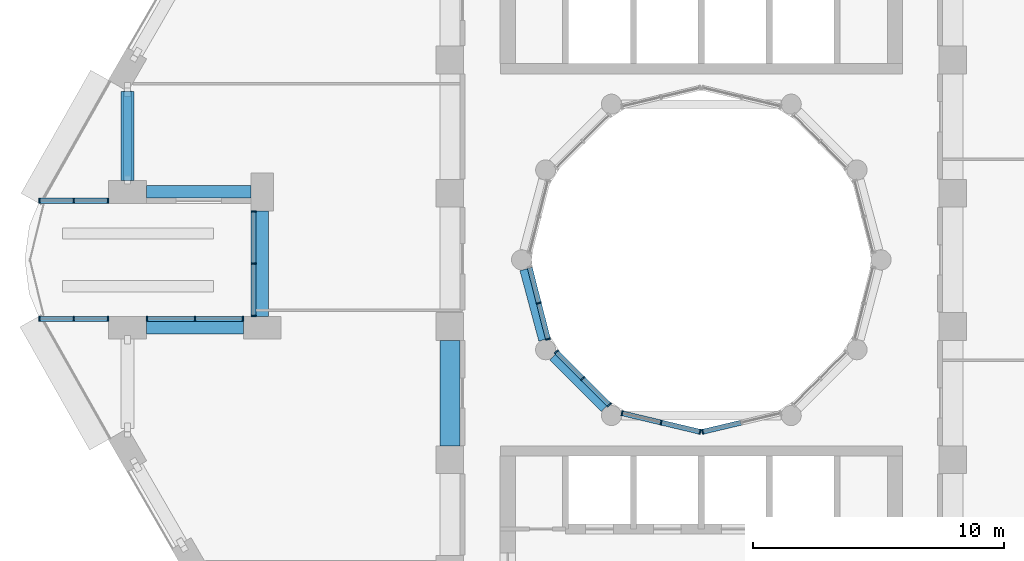
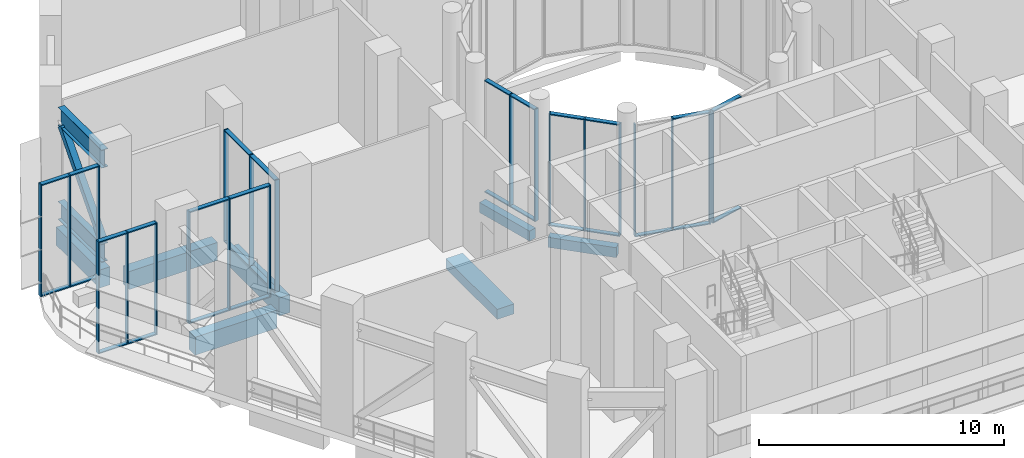
# One storey, part 2 of 20: 53 members, 7 beams, 8 elements without a shape of their own.
"""IFC4 building model written with IfcOpenShell, lengths in metres."""

import ifcopenshell
import ifcopenshell.guid

model = None  # the IFC model being written
_history = None  # IfcOwnerHistory: only IFC2X3 demands one
_inside = {}  # id of a spatial element -> (the spatial element, [elements in it])
_under = {}  # id of a project, library or spatial element -> (it, [spatial elements below it])
_declared = {}  # id of a project -> (the project, [libraries it declares])
_typed = {}  # id of a type object -> (the type object, [elements of that type])
_made_of = {}  # id of a material, layer set ... -> (it, [elements and type objects made of it])


def new_model(schema):
    """Start an empty IFC model of exactly this schema.

    Asked for "IFC4X3", IfcOpenShell would pick the latest addendum, in which some entities
    have other attributes; the version numbers below select the first issue.
    IFC2X3 requires an IfcOwnerHistory on every rooted entity: one is made here for all.
    """
    global model, _history
    if schema == "IFC4X3":
        model = ifcopenshell.file(schema_version=(4, 3, 0, 0))
    else:
        model = ifcopenshell.file(schema=schema)
    _inside.clear()
    _under.clear()
    _declared.clear()
    _typed.clear()
    _made_of.clear()
    _history = None
    if model.schema == "IFC2X3":
        org = make("IfcOrganization", Name="unknown")
        user = make(
            "IfcPersonAndOrganization",
            ThePerson=make("IfcPerson", FamilyName="unknown"),
            TheOrganization=org,
        )
        app = make(
            "IfcApplication",
            ApplicationDeveloper=org,
            Version="unknown",
            ApplicationFullName="unknown",
            ApplicationIdentifier="unknown",
        )
        _history = make(
            "IfcOwnerHistory",
            OwningUser=user,
            OwningApplication=app,
            ChangeAction="ADDED",
            CreationDate=0,
        )
    return model


def make(cls, **values):
    """One entity of the class cls with the attributes given. An attribute that is None is left unset."""
    return model.create_entity(
        cls, **{name: value for name, value in values.items() if value is not None}
    )


def rooted(cls, **values):
    """An entity with a GlobalId (a new one), such as an element, a storey or a relation."""
    return make(cls, GlobalId=ifcopenshell.guid.new(), OwnerHistory=_history, **values)


def si_unit(unit_type, name, prefix=None):
    """IfcSIUnit, for example si_unit("LENGTHUNIT", "METRE", prefix="MILLI")."""
    return make("IfcSIUnit", UnitType=unit_type, Prefix=prefix, Name=name)


def assignment(units):
    """IfcUnitAssignment: the units of a project."""
    return None if units is None else make("IfcUnitAssignment", Units=units)


def point(xyz):
    """IfcCartesianPoint."""
    return None if xyz is None else make("IfcCartesianPoint", Coordinates=xyz)


def direction(xyz):
    """IfcDirection."""
    return None if xyz is None else make("IfcDirection", DirectionRatios=xyz)


def frame(location, z_axis=None, x_axis=None):
    """IfcAxis2Placement3D, a coordinate frame: its origin and axes. An axis left out is left unset."""
    return make(
        "IfcAxis2Placement3D",
        Location=point(location),
        Axis=direction(z_axis),
        RefDirection=direction(x_axis),
    )


def frame_2d(location, x_axis=None):
    """IfcAxis2Placement2D, a coordinate frame in the plane: its origin and x axis."""
    return make(
        "IfcAxis2Placement2D", Location=point(location), RefDirection=direction(x_axis)
    )


def origin():
    """The frame at (0, 0, 0) with its axes left unset."""
    return frame((0.0, 0.0, 0.0))


def origin_2d():
    """The frame at (0, 0) in the plane with its x axis left unset."""
    return frame_2d((0.0, 0.0))


def place(relative_to, where):
    """IfcLocalPlacement: puts the frame where relative to a parent placement (None: the world)."""
    return make(
        "IfcLocalPlacement", PlacementRelTo=relative_to, RelativePlacement=where
    )


def context(
    kind, dimensions, precision=None, world=None, true_north=None, identifier=None
):
    """IfcGeometricRepresentationContext, for example the 3D "Model" context."""
    return make(
        "IfcGeometricRepresentationContext",
        ContextIdentifier=identifier,
        ContextType=kind,
        CoordinateSpaceDimension=dimensions,
        Precision=precision,
        WorldCoordinateSystem=world,
        TrueNorth=true_north,
    )


def subcontext(parent, identifier, kind, view, scale=None):
    """IfcGeometricRepresentationSubContext, for example "Body" below "Model"."""
    return make(
        "IfcGeometricRepresentationSubContext",
        ContextIdentifier=identifier,
        ContextType=kind,
        ParentContext=parent,
        TargetScale=scale,
        TargetView=view,
    )


def project(units=None, contexts=None):
    """IfcProject with its units and contexts."""
    return rooted(
        "IfcProject",
        Name="project",
        RepresentationContexts=contexts,
        UnitsInContext=assignment(units),
    )


def spatial(cls, under=None, at=None, **own):
    """A site, building, storey or space (cls), placed at a placement, below another one or the project."""
    s = rooted(cls, ObjectPlacement=at, **own)
    if under is not None:
        _under.setdefault(under.id(), (under, []))[1].append(s)
    return s


def profile(cls, at=None, kind="AREA", **sizes):
    """A parametric profile (cls). Its sizes go by their IFC names, for example OverallWidth=200.0."""
    return make(cls, ProfileType=kind, Position=at, **sizes)


def rectangle(**sizes):
    """IfcRectangleProfileDef."""
    return profile("IfcRectangleProfileDef", **sizes)


def hollow_rectangle(**sizes):
    """IfcRectangleHollowProfileDef."""
    return profile("IfcRectangleHollowProfileDef", **sizes)


def i_section(**sizes):
    """IfcIShapeProfileDef."""
    return profile("IfcIShapeProfileDef", **sizes)


def extrude(swept, where, along, depth):
    """IfcExtrudedAreaSolid: the profile swept, set in the frame where, extruded along a direction by depth."""
    return make(
        "IfcExtrudedAreaSolid",
        SweptArea=swept,
        Position=where,
        ExtrudedDirection=direction(along),
        Depth=depth,
    )


def shape(context_of_items, identifier, shape_type, items):
    """IfcShapeRepresentation: the items that make up one representation, for example the "Body"."""
    return make(
        "IfcShapeRepresentation",
        ContextOfItems=context_of_items,
        RepresentationIdentifier=identifier,
        RepresentationType=shape_type,
        Items=items,
    )


def material(Name=None, Category=None):
    """IfcMaterial."""
    return make("IfcMaterial", Name=Name, Category=Category)


def layer(
    of_material, thickness, ventilated=None, Name=None, Category=None, Priority=None
):
    """IfcMaterialLayer: one layer of a wall or slab, of a material (None: an air gap)."""
    return make(
        "IfcMaterialLayer",
        Material=of_material,
        LayerThickness=thickness,
        IsVentilated=ventilated,
        Name=Name,
        Category=Category,
        Priority=Priority,
    )


def layer_set(layers, Name=None):
    """IfcMaterialLayerSet."""
    return make("IfcMaterialLayerSet", MaterialLayers=layers, LayerSetName=Name)


def material_profile(
    of_material, cross_section, Name=None, Category=None, Priority=None
):
    """IfcMaterialProfile: a cross section and its material."""
    return make(
        "IfcMaterialProfile",
        Name=Name,
        Material=of_material,
        Profile=cross_section,
        Priority=Priority,
        Category=Category,
    )


def profile_set(profiles, Name=None, composite=None):
    """IfcMaterialProfileSet."""
    return make(
        "IfcMaterialProfileSet",
        Name=Name,
        MaterialProfiles=profiles,
        CompositeProfile=composite,
    )


def made_of(thing, what):
    """Note that an element or type object is made of a material, layer set ...; save() writes the relation."""
    if what is not None:
        _made_of.setdefault(what.id(), (what, []))[1].append(thing)
    return thing


def type_object(cls, material=None, **own):
    """A type object (cls), such as IfcWallType, which elements share."""
    return made_of(rooted(cls, **own), material)


def element(
    cls,
    number,
    at=None,
    inside=None,
    cuts=None,
    type_object=None,
    material=None,
    context=None,
    identifier="Body",
    shape_type=None,
    held_by="IfcProductDefinitionShape",
    body=None,
    shapes=None,
    **own,
):
    """One element of the class cls, such as IfcWall. Its Tag is "e" and its number.

    at: its placement. inside: the storey or other place that contains it. cuts: it is an
    opening in that element (IfcRelVoidsElement). A single representation is given by context,
    identifier, shape_type and body (its items); several are given by shapes. held_by: the class
    of the entity that holds the representations. save() writes the other relations.
    """
    e = rooted(cls, Tag="e%d" % number, ObjectPlacement=at, **own)
    if body is not None:
        shapes = [shape(context, identifier, shape_type, body)]
    if shapes is not None:
        e.Representation = make(held_by, Representations=shapes)
    if inside is not None:
        _inside.setdefault(inside.id(), (inside, []))[1].append(e)
    if cuts is not None:
        rooted(
            "IfcRelVoidsElement", RelatingBuildingElement=cuts, RelatedOpeningElement=e
        )
    if type_object is not None:
        _typed.setdefault(type_object.id(), (type_object, []))[1].append(e)
    return made_of(e, material)


def aggregate(whole, parts):
    """IfcRelAggregates: a whole, such as a stair, and the parts it consists of."""
    return rooted("IfcRelAggregates", RelatingObject=whole, RelatedObjects=parts)


def save(model, path):
    """Write the relations noted so far, then the file.

    IfcRelAggregates (storeys below a building ...), IfcRelContainedInSpatialStructure (elements
    in a storey), IfcRelDefinesByType, IfcRelAssociatesMaterial and IfcRelDeclares: one each for
    every whole, place, type object, material and project.
    """
    for whole, parts in _under.values():
        aggregate(whole, parts)
    for where, things in _inside.values():
        rooted(
            "IfcRelContainedInSpatialStructure",
            RelatedElements=things,
            RelatingStructure=where,
        )
    for kind, things in _typed.values():
        rooted("IfcRelDefinesByType", RelatedObjects=things, RelatingType=kind)
    for what, things in _made_of.values():
        rooted("IfcRelAssociatesMaterial", RelatedObjects=things, RelatingMaterial=what)
    for by, libraries in _declared.values():
        rooted("IfcRelDeclares", RelatingContext=by, RelatedDefinitions=libraries)
    model.write(path)


model = new_model("IFC4")

# Units and contexts
model_context = context("Model", 3, precision=1e-05, world=origin(), true_north=direction((0.0, 1.0)))
body_context = subcontext(model_context, "Body", "Model", "MODEL_VIEW")
ifc_project = project(units=[si_unit("LENGTHUNIT", "METRE"), si_unit("AREAUNIT", "SQUARE_METRE"), si_unit("VOLUMEUNIT", "CUBIC_METRE"), si_unit("PLANEANGLEUNIT", "RADIAN"), si_unit("MASSUNIT", "GRAM", prefix="KILO")], contexts=[model_context])

# Site, building, storey
site_placement = place(None, origin())
site = spatial("IfcSite", under=ifc_project, at=site_placement, CompositionType="ELEMENT")
building_placement = place(site_placement, origin())
building = spatial("IfcBuilding", under=site, at=building_placement, Name="Nakaniwa Court", CompositionType="ELEMENT")
storey_placement = place(building_placement, frame((0.0, 0.0, 71.10009765625)))
storey = spatial("IfcBuildingStorey", under=building, at=storey_placement, Name="S1", CompositionType="ELEMENT", Elevation=71.10009765625)

# Curtain wall, member
ifc_material_1 = material(Name="Black anodised aluminium frame with dark low-E laminated double glazing", Category="aluminium")
ifc_layer = layer(ifc_material_1, 0.199951171875)
ifc_layer_set = layer_set([ifc_layer], Name="Black anodised aluminium frame with dark low-E laminated double glazing")
curtain_wall_type = type_object("IfcCurtainWallType", Name="Amenity and sky level curtain wall", PredefinedType="NOTDEFINED", material=ifc_layer_set)
curtain_wall_1_placement = place(storey_placement, origin())
curtain_wall_1 = element("IfcCurtainWall", 1, at=curtain_wall_1_placement, inside=storey, type_object=curtain_wall_type, Name="S1 curtain wall CW3 38", PredefinedType="NOTDEFINED")
ifc_material_2 = material(Name="Black anodised aluminium extrusion", Category="aluminium")
ifc_material_profile_1 = material_profile(ifc_material_2, rectangle(XDim=0.199951171875, YDim=0.054931640625, at=origin_2d()), Name="Amenity and sky level curtain wall mullion 55x200")
ifc_profile_set_1 = profile_set([ifc_material_profile_1], Name="Black anodised aluminium extrusion")
member_type_1 = type_object("IfcMemberType", Name="Amenity and sky level curtain wall mullion 55x200", PredefinedType="MULLION", material=ifc_profile_set_1)
member_1_placement = place(storey_placement, frame((80.050048828125, 73.1591796875, 0.0), z_axis=(0.0, 0.0, 1.0), x_axis=(0.231791306712, -0.972765537081, 0.0)))
member_1 = element("IfcMember", 2, at=member_1_placement, type_object=member_type_1, Name="CW3 mullion 3", PredefinedType="MULLION", context=body_context, shape_type="SweptSolid", body=[
    extrude(rectangle(XDim=0.199951171875, YDim=0.054931640625, at=origin_2d()), origin(), (0.0, 0.0, 1.0), 5.58984375),
])

# Curtain wall, members
curtain_wall_2_placement = place(storey_placement, origin())
curtain_wall_2 = element("IfcCurtainWall", 3, at=curtain_wall_2_placement, inside=storey, type_object=curtain_wall_type, Name="S1 curtain wall CW3 39", PredefinedType="NOTDEFINED")
member_2_placement = place(storey_placement, frame((79.949951171875, 73.1591796875, 0.0), z_axis=(0.0, 0.0, 1.0), x_axis=(-0.231791306712, -0.972765537081, 0.0)))
member_2 = element("IfcMember", 4, at=member_2_placement, type_object=member_type_1, Name="CW3 mullion 1", PredefinedType="MULLION", context=body_context, shape_type="SweptSolid", body=[
    extrude(rectangle(XDim=0.199951171875, YDim=0.054931640625, at=origin_2d()), origin(), (0.0, 0.0, 1.0), 5.58984375),
])
member_3_placement = place(storey_placement, frame((78.398193359375, 73.52880859375, 0.0), z_axis=(0.0, 0.0, 1.0), x_axis=(-0.231791306712, -0.972765537081, 0.0)))
member_3 = element("IfcMember", 5, at=member_3_placement, type_object=member_type_1, Name="CW3 mullion 2", PredefinedType="MULLION", context=body_context, shape_type="SweptSolid", body=[
    extrude(rectangle(XDim=0.199951171875, YDim=0.054931640625, at=origin_2d()), origin(), (0.0, 0.0, 1.0), 5.58984375),
])
member_4_placement = place(storey_placement, frame((76.846435546875, 73.898681640625, 0.0), z_axis=(0.0, 0.0, 1.0), x_axis=(-0.231791306712, -0.972765537081, 0.0)))
member_4 = element("IfcMember", 6, at=member_4_placement, type_object=member_type_1, Name="CW3 mullion 3", PredefinedType="MULLION", context=body_context, shape_type="SweptSolid", body=[
    extrude(rectangle(XDim=0.199951171875, YDim=0.054931640625, at=origin_2d()), origin(), (0.0, 0.0, 1.0), 5.58984375),
])

curtain_wall_3_placement = place(storey_placement, origin())
curtain_wall_3 = element("IfcCurtainWall", 7, at=curtain_wall_3_placement, inside=storey, type_object=curtain_wall_type, Name="S1 curtain wall CW3 40", PredefinedType="NOTDEFINED")
member_5_placement = place(storey_placement, frame((76.33740234375, 74.2314453125, 0.0), z_axis=(0.0, 0.0, 1.0), x_axis=(-0.707106781187, -0.707106781187, 0.0)))
member_5 = element("IfcMember", 8, at=member_5_placement, type_object=member_type_1, Name="CW3 mullion 1", PredefinedType="MULLION", context=body_context, shape_type="SweptSolid", body=[
    extrude(rectangle(XDim=0.199951171875, YDim=0.054931640625, at=origin_2d()), origin(), (0.0, 0.0, 1.0), 5.58984375),
])
member_6_placement = place(storey_placement, frame((75.284423828125, 75.284423828125, 0.0), z_axis=(0.0, 0.0, 1.0), x_axis=(-0.707106781187, -0.707106781187, 0.0)))
member_6 = element("IfcMember", 9, at=member_6_placement, type_object=member_type_1, Name="CW3 mullion 2", PredefinedType="MULLION", context=body_context, shape_type="SweptSolid", body=[
    extrude(rectangle(XDim=0.199951171875, YDim=0.054931640625, at=origin_2d()), origin(), (0.0, 0.0, 1.0), 5.58984375),
])
member_7_placement = place(storey_placement, frame((74.2314453125, 76.33740234375, 0.0), z_axis=(0.0, 0.0, 1.0), x_axis=(-0.707106781187, -0.707106781187, 0.0)))
member_7 = element("IfcMember", 10, at=member_7_placement, type_object=member_type_1, Name="CW3 mullion 3", PredefinedType="MULLION", context=body_context, shape_type="SweptSolid", body=[
    extrude(rectangle(XDim=0.199951171875, YDim=0.054931640625, at=origin_2d()), origin(), (0.0, 0.0, 1.0), 5.58984375),
])

curtain_wall_4_placement = place(storey_placement, origin())
curtain_wall_4 = element("IfcCurtainWall", 11, at=curtain_wall_4_placement, inside=storey, type_object=curtain_wall_type, Name="S1 curtain wall CW3 41", PredefinedType="NOTDEFINED")
member_8_placement = place(storey_placement, frame((73.90087890625, 76.84619140625, 0.0), z_axis=(0.0, 0.0, 1.0), x_axis=(-0.968986463302, -0.247113807661, 0.0)))
member_8 = element("IfcMember", 12, at=member_8_placement, type_object=member_type_1, Name="CW3 mullion 1", PredefinedType="MULLION", context=body_context, shape_type="SweptSolid", body=[
    extrude(rectangle(XDim=0.199951171875, YDim=0.054931640625, at=origin_2d()), origin(), (0.0, 0.0, 1.0), 5.58984375),
])
member_9_placement = place(storey_placement, frame((73.53564453125, 78.27783203125, 0.0), z_axis=(0.0, 0.0, 1.0), x_axis=(-0.968986463302, -0.247113807661, 0.0)))
member_9 = element("IfcMember", 13, at=member_9_placement, type_object=member_type_1, Name="CW3 mullion 2", PredefinedType="MULLION", context=body_context, shape_type="SweptSolid", body=[
    extrude(rectangle(XDim=0.199951171875, YDim=0.054931640625, at=origin_2d()), origin(), (0.0, 0.0, 1.0), 5.58984375),
])

curtain_wall_5_placement = place(storey_placement, origin())
curtain_wall_5 = element("IfcCurtainWall", 14, at=curtain_wall_5_placement, inside=storey, type_object=curtain_wall_type, Name="S1 curtain wall CW3 15", PredefinedType="NOTDEFINED")
member_10_placement = place(storey_placement, frame((53.6708984375, 82.35009765625, 0.0), z_axis=(0.0, 0.0, 1.0), x_axis=(0.0, 1.0, 0.0)))
member_10 = element("IfcMember", 15, at=member_10_placement, type_object=member_type_1, Name="CW3 mullion 1", PredefinedType="MULLION", context=body_context, shape_type="SweptSolid", body=[
    extrude(rectangle(XDim=0.199951171875, YDim=0.054931640625, at=origin_2d()), origin(), (0.0, 0.0, 1.0), 5.58984375),
])
member_11_placement = place(storey_placement, frame((55.037109375, 82.35009765625, 0.0), z_axis=(0.0, 0.0, 1.0), x_axis=(0.0, 1.0, 0.0)))
member_11 = element("IfcMember", 16, at=member_11_placement, type_object=member_type_1, Name="CW3 mullion 2", PredefinedType="MULLION", context=body_context, shape_type="SweptSolid", body=[
    extrude(rectangle(XDim=0.199951171875, YDim=0.054931640625, at=origin_2d()), origin(), (0.0, 0.0, 1.0), 5.58984375),
])
member_12_placement = place(storey_placement, frame((56.403564453125, 82.35009765625, 0.0), z_axis=(0.0, 0.0, 1.0), x_axis=(0.0, 1.0, 0.0)))
member_12 = element("IfcMember", 17, at=member_12_placement, type_object=member_type_1, Name="CW3 mullion 3", PredefinedType="MULLION", context=body_context, shape_type="SweptSolid", body=[
    extrude(rectangle(XDim=0.199951171875, YDim=0.054931640625, at=origin_2d()), origin(), (0.0, 0.0, 1.0), 5.58984375),
])

curtain_wall_6_placement = place(storey_placement, origin())
curtain_wall_6 = element("IfcCurtainWall", 18, at=curtain_wall_6_placement, inside=storey, type_object=curtain_wall_type, Name="S1 curtain wall CW3 17", PredefinedType="NOTDEFINED")
member_13_placement = place(storey_placement, frame((62.191650390625, 81.926513671875, 0.0), z_axis=(0.0, 0.0, 1.0), x_axis=(1.0, 0.0, 0.0)))
member_13 = element("IfcMember", 19, at=member_13_placement, type_object=member_type_1, Name="CW3 mullion 1", PredefinedType="MULLION", context=body_context, shape_type="SweptSolid", body=[
    extrude(rectangle(XDim=0.199951171875, YDim=0.054931640625, at=origin_2d()), origin(), (0.0, 0.0, 1.0), 5.58984375),
])
member_14_placement = place(storey_placement, frame((62.191650390625, 79.85009765625, 0.0), z_axis=(0.0, 0.0, 1.0), x_axis=(1.0, 0.0, 0.0)))
member_14 = element("IfcMember", 20, at=member_14_placement, type_object=member_type_1, Name="CW3 mullion 2", PredefinedType="MULLION", context=body_context, shape_type="SweptSolid", body=[
    extrude(rectangle(XDim=0.199951171875, YDim=0.054931640625, at=origin_2d()), origin(), (0.0, 0.0, 1.0), 5.58984375),
])
member_15_placement = place(storey_placement, frame((62.191650390625, 77.7734375, 0.0), z_axis=(0.0, 0.0, 1.0), x_axis=(1.0, 0.0, 0.0)))
member_15 = element("IfcMember", 21, at=member_15_placement, type_object=member_type_1, Name="CW3 mullion 3", PredefinedType="MULLION", context=body_context, shape_type="SweptSolid", body=[
    extrude(rectangle(XDim=0.199951171875, YDim=0.054931640625, at=origin_2d()), origin(), (0.0, 0.0, 1.0), 5.58984375),
])

curtain_wall_7_placement = place(storey_placement, origin())
curtain_wall_7 = element("IfcCurtainWall", 22, at=curtain_wall_7_placement, inside=storey, type_object=curtain_wall_type, Name="S1 curtain wall CW3 18", PredefinedType="NOTDEFINED")
member_16_placement = place(storey_placement, frame((61.76806640625, 77.64990234375, 0.0), z_axis=(0.0, 0.0, 1.0), x_axis=(0.0, -1.0, 0.0)))
member_16 = element("IfcMember", 23, at=member_16_placement, type_object=member_type_1, Name="CW3 mullion 1", PredefinedType="MULLION", context=body_context, shape_type="SweptSolid", body=[
    extrude(rectangle(XDim=0.199951171875, YDim=0.054931640625, at=origin_2d()), origin(), (0.0, 0.0, 1.0), 5.58984375),
])
member_17_placement = place(storey_placement, frame((59.859375, 77.64990234375, 0.0), z_axis=(0.0, 0.0, 1.0), x_axis=(0.0, -1.0, 0.0)))
member_17 = element("IfcMember", 24, at=member_17_placement, type_object=member_type_1, Name="CW3 mullion 2", PredefinedType="MULLION", context=body_context, shape_type="SweptSolid", body=[
    extrude(rectangle(XDim=0.199951171875, YDim=0.054931640625, at=origin_2d()), origin(), (0.0, 0.0, 1.0), 5.58984375),
])
member_18_placement = place(storey_placement, frame((57.95068359375, 77.64990234375, 0.0), z_axis=(0.0, 0.0, 1.0), x_axis=(0.0, -1.0, 0.0)))
member_18 = element("IfcMember", 25, at=member_18_placement, type_object=member_type_1, Name="CW3 mullion 3", PredefinedType="MULLION", context=body_context, shape_type="SweptSolid", body=[
    extrude(rectangle(XDim=0.199951171875, YDim=0.054931640625, at=origin_2d()), origin(), (0.0, 0.0, 1.0), 5.58984375),
])

curtain_wall_8_placement = place(storey_placement, origin())
curtain_wall_8 = element("IfcCurtainWall", 26, at=curtain_wall_8_placement, inside=storey, type_object=curtain_wall_type, Name="S1 curtain wall CW3 19", PredefinedType="NOTDEFINED")
member_19_placement = place(storey_placement, frame((56.403564453125, 77.64990234375, 0.0), z_axis=(0.0, 0.0, 1.0), x_axis=(0.0, -1.0, 0.0)))
member_19 = element("IfcMember", 27, at=member_19_placement, type_object=member_type_1, Name="CW3 mullion 1", PredefinedType="MULLION", context=body_context, shape_type="SweptSolid", body=[
    extrude(rectangle(XDim=0.199951171875, YDim=0.054931640625, at=origin_2d()), origin(), (0.0, 0.0, 1.0), 5.58984375),
])
member_20_placement = place(storey_placement, frame((55.037109375, 77.64990234375, 0.0), z_axis=(0.0, 0.0, 1.0), x_axis=(0.0, -1.0, 0.0)))
member_20 = element("IfcMember", 28, at=member_20_placement, type_object=member_type_1, Name="CW3 mullion 2", PredefinedType="MULLION", context=body_context, shape_type="SweptSolid", body=[
    extrude(rectangle(XDim=0.199951171875, YDim=0.054931640625, at=origin_2d()), origin(), (0.0, 0.0, 1.0), 5.58984375),
])
member_21_placement = place(storey_placement, frame((53.6708984375, 77.64990234375, 0.0), z_axis=(0.0, 0.0, 1.0), x_axis=(0.0, -1.0, 0.0)))
member_21 = element("IfcMember", 29, at=member_21_placement, type_object=member_type_1, Name="CW3 mullion 3", PredefinedType="MULLION", context=body_context, shape_type="SweptSolid", body=[
    extrude(rectangle(XDim=0.199951171875, YDim=0.054931640625, at=origin_2d()), origin(), (0.0, 0.0, 1.0), 5.58984375),
])

# Member
ifc_material_profile_2 = material_profile(ifc_material_2, rectangle(XDim=0.199951171875, YDim=0.054931640625, at=origin_2d()), Name="Amenity and sky level curtain wall transom 55x200")
ifc_profile_set_2 = profile_set([ifc_material_profile_2], Name="Black anodised aluminium extrusion")
member_type_2 = type_object("IfcMemberType", Name="Amenity and sky level curtain wall transom 55x200", PredefinedType="USERDEFINED", material=ifc_profile_set_2)
member_22_placement = place(storey_placement, frame((81.574951171875, 73.5224609375, 0.02734375), z_axis=(-0.972777294296, -0.231741959306, 0.0), x_axis=(0.231741959306, -0.972777294296, 0.0)))
member_22 = element("IfcMember", 30, at=member_22_placement, type_object=member_type_2, Name="CW3 transom 2.1", ObjectType="TRANSOM", PredefinedType="USERDEFINED", context=body_context, shape_type="SweptSolid", body=[
    extrude(rectangle(XDim=0.199951171875, YDim=0.054931640625, at=origin_2d()), origin(), (0.0, 0.0, 1.0), 1.540283203125),
])

member_23_placement = place(storey_placement, frame((81.574951171875, 73.5224609375, 5.5625), z_axis=(-0.972777294296, -0.231741959306, 0.0), x_axis=(0.231741959306, -0.972777294296, 0.0)))
member_23 = element("IfcMember", 31, at=member_23_placement, type_object=member_type_2, Name="CW3 transom 2.2", ObjectType="TRANSOM", PredefinedType="USERDEFINED", context=body_context, shape_type="SweptSolid", body=[
    extrude(rectangle(XDim=0.199951171875, YDim=0.054931640625, at=origin_2d()), origin(), (0.0, 0.0, 1.0), 1.540283203125),
])

aggregate(curtain_wall_1, [member_1, member_22, member_23])

member_24_placement = place(storey_placement, frame((79.92333984375, 73.16552734375, 0.02734375), z_axis=(-0.972777294296, 0.231741959306, 0.0), x_axis=(-0.231741959306, -0.972777294296, 0.0)))
member_24 = element("IfcMember", 32, at=member_24_placement, type_object=member_type_2, Name="CW3 transom 1.1", ObjectType="TRANSOM", PredefinedType="USERDEFINED", context=body_context, shape_type="SweptSolid", body=[
    extrude(rectangle(XDim=0.199951171875, YDim=0.054931640625, at=origin_2d()), origin(), (0.0, 0.0, 1.0), 1.540283203125),
])

member_25_placement = place(storey_placement, frame((79.92333984375, 73.16552734375, 5.5625), z_axis=(-0.972777294296, 0.231741959306, 0.0), x_axis=(-0.231741959306, -0.972777294296, 0.0)))
member_25 = element("IfcMember", 33, at=member_25_placement, type_object=member_type_2, Name="CW3 transom 1.2", ObjectType="TRANSOM", PredefinedType="USERDEFINED", context=body_context, shape_type="SweptSolid", body=[
    extrude(rectangle(XDim=0.199951171875, YDim=0.054931640625, at=origin_2d()), origin(), (0.0, 0.0, 1.0), 1.540283203125),
])

member_26_placement = place(storey_placement, frame((78.371337890625, 73.53515625, 0.02734375), z_axis=(-0.972741550558, 0.231891948585, 0.0), x_axis=(-0.231891948585, -0.972741550558, 0.0)))
member_26 = element("IfcMember", 34, at=member_26_placement, type_object=member_type_2, Name="CW3 transom 2.1", ObjectType="TRANSOM", PredefinedType="USERDEFINED", context=body_context, shape_type="SweptSolid", body=[
    extrude(rectangle(XDim=0.199951171875, YDim=0.054931640625, at=origin_2d()), origin(), (0.0, 0.0, 1.0), 1.540283203125),
])

aggregate(curtain_wall_2, [member_2, member_3, member_4, member_24, member_25, member_26])

member_27_placement = place(storey_placement, frame((76.31787109375, 74.2509765625, 0.02734375), z_axis=(-0.707106781187, 0.707106781187, 0.0), x_axis=(-0.707106781187, -0.707106781187, 0.0)))
member_27 = element("IfcMember", 35, at=member_27_placement, type_object=member_type_2, Name="CW3 transom 1.1", ObjectType="TRANSOM", PredefinedType="USERDEFINED", context=body_context, shape_type="SweptSolid", body=[
    extrude(rectangle(XDim=0.199951171875, YDim=0.054931640625, at=origin_2d()), origin(), (0.0, 0.0, 1.0), 1.433837890625),
])

member_28_placement = place(storey_placement, frame((76.31787109375, 74.2509765625, 5.5625), z_axis=(-0.707106781187, 0.707106781187, 0.0), x_axis=(-0.707106781187, -0.707106781187, 0.0)))
member_28 = element("IfcMember", 36, at=member_28_placement, type_object=member_type_2, Name="CW3 transom 1.2", ObjectType="TRANSOM", PredefinedType="USERDEFINED", context=body_context, shape_type="SweptSolid", body=[
    extrude(rectangle(XDim=0.199951171875, YDim=0.054931640625, at=origin_2d()), origin(), (0.0, 0.0, 1.0), 1.433837890625),
])

member_29_placement = place(storey_placement, frame((75.264892578125, 75.303955078125, 0.02734375), z_axis=(-0.707106781187, 0.707106781187, 0.0), x_axis=(-0.707106781187, -0.707106781187, 0.0)))
member_29 = element("IfcMember", 37, at=member_29_placement, type_object=member_type_2, Name="CW3 transom 2.1", ObjectType="TRANSOM", PredefinedType="USERDEFINED", context=body_context, shape_type="SweptSolid", body=[
    extrude(rectangle(XDim=0.199951171875, YDim=0.054931640625, at=origin_2d()), origin(), (0.0, 0.0, 1.0), 1.433837890625),
])

member_30_placement = place(storey_placement, frame((75.264892578125, 75.303955078125, 5.5625), z_axis=(-0.707106781187, 0.707106781187, 0.0), x_axis=(-0.707106781187, -0.707106781187, 0.0)))
member_30 = element("IfcMember", 38, at=member_30_placement, type_object=member_type_2, Name="CW3 transom 2.2", ObjectType="TRANSOM", PredefinedType="USERDEFINED", context=body_context, shape_type="SweptSolid", body=[
    extrude(rectangle(XDim=0.199951171875, YDim=0.054931640625, at=origin_2d()), origin(), (0.0, 0.0, 1.0), 1.433837890625),
])

aggregate(curtain_wall_3, [member_5, member_6, member_7, member_27, member_28, member_29, member_30])

member_31_placement = place(storey_placement, frame((73.89404296875, 76.872802734375, 0.02734375), z_axis=(-0.247136415914, 0.968980697398, 0.0), x_axis=(-0.968980697398, -0.247136415914, 0.0)))
member_31 = element("IfcMember", 39, at=member_31_placement, type_object=member_type_2, Name="CW3 transom 1.1", ObjectType="TRANSOM", PredefinedType="USERDEFINED", context=body_context, shape_type="SweptSolid", body=[
    extrude(rectangle(XDim=0.199951171875, YDim=0.054931640625, at=origin_2d()), origin(), (0.0, 0.0, 1.0), 1.422607421875),
])

member_32_placement = place(storey_placement, frame((73.89404296875, 76.872802734375, 5.5625), z_axis=(-0.247136415914, 0.968980697398, 0.0), x_axis=(-0.968980697398, -0.247136415914, 0.0)))
member_32 = element("IfcMember", 40, at=member_32_placement, type_object=member_type_2, Name="CW3 transom 1.2", ObjectType="TRANSOM", PredefinedType="USERDEFINED", context=body_context, shape_type="SweptSolid", body=[
    extrude(rectangle(XDim=0.199951171875, YDim=0.054931640625, at=origin_2d()), origin(), (0.0, 0.0, 1.0), 1.422607421875),
])

member_33_placement = place(storey_placement, frame((73.52880859375, 78.304443359375, 0.02734375), z_axis=(-0.24697526524, 0.969021784255, 0.0), x_axis=(-0.969021784255, -0.24697526524, 0.0)))
member_33 = element("IfcMember", 41, at=member_33_placement, type_object=member_type_2, Name="CW3 transom 2.1", ObjectType="TRANSOM", PredefinedType="USERDEFINED", context=body_context, shape_type="SweptSolid", body=[
    extrude(rectangle(XDim=0.199951171875, YDim=0.054931640625, at=origin_2d()), origin(), (0.0, 0.0, 1.0), 1.42236328125),
])

member_34_placement = place(storey_placement, frame((73.52880859375, 78.304443359375, 5.5625), z_axis=(-0.24697526524, 0.969021784255, 0.0), x_axis=(-0.969021784255, -0.24697526524, 0.0)))
member_34 = element("IfcMember", 42, at=member_34_placement, type_object=member_type_2, Name="CW3 transom 2.2", ObjectType="TRANSOM", PredefinedType="USERDEFINED", context=body_context, shape_type="SweptSolid", body=[
    extrude(rectangle(XDim=0.199951171875, YDim=0.054931640625, at=origin_2d()), origin(), (0.0, 0.0, 1.0), 1.42236328125),
])

aggregate(curtain_wall_4, [member_8, member_9, member_31, member_32, member_33, member_34])

member_35_placement = place(storey_placement, frame((53.6982421875, 82.35009765625, 0.02734375), z_axis=(1.0, 0.0, 0.0), x_axis=(0.0, 1.0, 0.0)))
member_35 = element("IfcMember", 43, at=member_35_placement, type_object=member_type_2, Name="CW3 transom 1.1", ObjectType="TRANSOM", PredefinedType="USERDEFINED", context=body_context, shape_type="SweptSolid", body=[
    extrude(rectangle(XDim=0.199951171875, YDim=0.054931640625, at=origin_2d()), origin(), (0.0, 0.0, 1.0), 1.3115234375),
])

member_36_placement = place(storey_placement, frame((53.6982421875, 82.35009765625, 5.5625), z_axis=(1.0, 0.0, 0.0), x_axis=(0.0, 1.0, 0.0)))
member_36 = element("IfcMember", 44, at=member_36_placement, type_object=member_type_2, Name="CW3 transom 1.2", ObjectType="TRANSOM", PredefinedType="USERDEFINED", context=body_context, shape_type="SweptSolid", body=[
    extrude(rectangle(XDim=0.199951171875, YDim=0.054931640625, at=origin_2d()), origin(), (0.0, 0.0, 1.0), 1.3115234375),
])

member_37_placement = place(storey_placement, frame((55.064697265625, 82.35009765625, 0.02734375), z_axis=(1.0, 0.0, 0.0), x_axis=(0.0, 1.0, 0.0)))
member_37 = element("IfcMember", 45, at=member_37_placement, type_object=member_type_2, Name="CW3 transom 2.1", ObjectType="TRANSOM", PredefinedType="USERDEFINED", context=body_context, shape_type="SweptSolid", body=[
    extrude(rectangle(XDim=0.199951171875, YDim=0.054931640625, at=origin_2d()), origin(), (0.0, 0.0, 1.0), 1.3115234375),
])

member_38_placement = place(storey_placement, frame((55.064697265625, 82.35009765625, 5.5625), z_axis=(1.0, 0.0, 0.0), x_axis=(0.0, 1.0, 0.0)))
member_38 = element("IfcMember", 46, at=member_38_placement, type_object=member_type_2, Name="CW3 transom 2.2", ObjectType="TRANSOM", PredefinedType="USERDEFINED", context=body_context, shape_type="SweptSolid", body=[
    extrude(rectangle(XDim=0.199951171875, YDim=0.054931640625, at=origin_2d()), origin(), (0.0, 0.0, 1.0), 1.3115234375),
])

aggregate(curtain_wall_5, [member_10, member_11, member_12, member_35, member_36, member_37, member_38])

member_39_placement = place(storey_placement, frame((62.191650390625, 81.89892578125, 0.02734375), z_axis=(0.0, -1.0, 0.0), x_axis=(1.0, 0.0, 0.0)))
member_39 = element("IfcMember", 47, at=member_39_placement, type_object=member_type_2, Name="CW3 transom 1.1", ObjectType="TRANSOM", PredefinedType="USERDEFINED", context=body_context, shape_type="SweptSolid", body=[
    extrude(rectangle(XDim=0.199951171875, YDim=0.054931640625, at=origin_2d()), origin(), (0.0, 0.0, 1.0), 2.021484375),
])

member_40_placement = place(storey_placement, frame((62.191650390625, 81.89892578125, 5.5625), z_axis=(0.0, -1.0, 0.0), x_axis=(1.0, 0.0, 0.0)))
member_40 = element("IfcMember", 48, at=member_40_placement, type_object=member_type_2, Name="CW3 transom 1.2", ObjectType="TRANSOM", PredefinedType="USERDEFINED", context=body_context, shape_type="SweptSolid", body=[
    extrude(rectangle(XDim=0.199951171875, YDim=0.054931640625, at=origin_2d()), origin(), (0.0, 0.0, 1.0), 2.021484375),
])

member_41_placement = place(storey_placement, frame((62.191650390625, 79.822509765625, 0.02734375), z_axis=(0.0, -1.0, 0.0), x_axis=(1.0, 0.0, 0.0)))
member_41 = element("IfcMember", 49, at=member_41_placement, type_object=member_type_2, Name="CW3 transom 2.1", ObjectType="TRANSOM", PredefinedType="USERDEFINED", context=body_context, shape_type="SweptSolid", body=[
    extrude(rectangle(XDim=0.199951171875, YDim=0.054931640625, at=origin_2d()), origin(), (0.0, 0.0, 1.0), 2.021484375),
])

member_42_placement = place(storey_placement, frame((62.191650390625, 79.822509765625, 5.5625), z_axis=(0.0, -1.0, 0.0), x_axis=(1.0, 0.0, 0.0)))
member_42 = element("IfcMember", 50, at=member_42_placement, type_object=member_type_2, Name="CW3 transom 2.2", ObjectType="TRANSOM", PredefinedType="USERDEFINED", context=body_context, shape_type="SweptSolid", body=[
    extrude(rectangle(XDim=0.199951171875, YDim=0.054931640625, at=origin_2d()), origin(), (0.0, 0.0, 1.0), 2.021484375),
])

aggregate(curtain_wall_6, [member_13, member_14, member_15, member_39, member_40, member_41, member_42])

member_43_placement = place(storey_placement, frame((61.740478515625, 77.64990234375, 0.02734375), z_axis=(-1.0, 0.0, 0.0), x_axis=(0.0, -1.0, 0.0)))
member_43 = element("IfcMember", 51, at=member_43_placement, type_object=member_type_2, Name="CW3 transom 1.1", ObjectType="TRANSOM", PredefinedType="USERDEFINED", context=body_context, shape_type="SweptSolid", body=[
    extrude(rectangle(XDim=0.199951171875, YDim=0.054931640625, at=origin_2d()), origin(), (0.0, 0.0, 1.0), 1.853515625),
])

member_44_placement = place(storey_placement, frame((61.740478515625, 77.64990234375, 5.5625), z_axis=(-1.0, 0.0, 0.0), x_axis=(0.0, -1.0, 0.0)))
member_44 = element("IfcMember", 52, at=member_44_placement, type_object=member_type_2, Name="CW3 transom 1.2", ObjectType="TRANSOM", PredefinedType="USERDEFINED", context=body_context, shape_type="SweptSolid", body=[
    extrude(rectangle(XDim=0.199951171875, YDim=0.054931640625, at=origin_2d()), origin(), (0.0, 0.0, 1.0), 1.853515625),
])

member_45_placement = place(storey_placement, frame((59.831787109375, 77.64990234375, 0.02734375), z_axis=(-1.0, 0.0, 0.0), x_axis=(0.0, -1.0, 0.0)))
member_45 = element("IfcMember", 53, at=member_45_placement, type_object=member_type_2, Name="CW3 transom 2.1", ObjectType="TRANSOM", PredefinedType="USERDEFINED", context=body_context, shape_type="SweptSolid", body=[
    extrude(rectangle(XDim=0.199951171875, YDim=0.054931640625, at=origin_2d()), origin(), (0.0, 0.0, 1.0), 1.853759765625),
])

member_46_placement = place(storey_placement, frame((59.831787109375, 77.64990234375, 5.5625), z_axis=(-1.0, 0.0, 0.0), x_axis=(0.0, -1.0, 0.0)))
member_46 = element("IfcMember", 54, at=member_46_placement, type_object=member_type_2, Name="CW3 transom 2.2", ObjectType="TRANSOM", PredefinedType="USERDEFINED", context=body_context, shape_type="SweptSolid", body=[
    extrude(rectangle(XDim=0.199951171875, YDim=0.054931640625, at=origin_2d()), origin(), (0.0, 0.0, 1.0), 1.853759765625),
])

aggregate(curtain_wall_7, [member_16, member_17, member_18, member_43, member_44, member_45, member_46])

member_47_placement = place(storey_placement, frame((56.376220703125, 77.64990234375, 0.02734375), z_axis=(-1.0, 0.0, 0.0), x_axis=(0.0, -1.0, 0.0)))
member_47 = element("IfcMember", 55, at=member_47_placement, type_object=member_type_2, Name="CW3 transom 1.1", ObjectType="TRANSOM", PredefinedType="USERDEFINED", context=body_context, shape_type="SweptSolid", body=[
    extrude(rectangle(XDim=0.199951171875, YDim=0.054931640625, at=origin_2d()), origin(), (0.0, 0.0, 1.0), 1.3115234375),
])

member_48_placement = place(storey_placement, frame((56.376220703125, 77.64990234375, 5.5625), z_axis=(-1.0, 0.0, 0.0), x_axis=(0.0, -1.0, 0.0)))
member_48 = element("IfcMember", 56, at=member_48_placement, type_object=member_type_2, Name="CW3 transom 1.2", ObjectType="TRANSOM", PredefinedType="USERDEFINED", context=body_context, shape_type="SweptSolid", body=[
    extrude(rectangle(XDim=0.199951171875, YDim=0.054931640625, at=origin_2d()), origin(), (0.0, 0.0, 1.0), 1.3115234375),
])

member_49_placement = place(storey_placement, frame((55.009765625, 77.64990234375, 0.02734375), z_axis=(-1.0, 0.0, 0.0), x_axis=(0.0, -1.0, 0.0)))
member_49 = element("IfcMember", 57, at=member_49_placement, type_object=member_type_2, Name="CW3 transom 2.1", ObjectType="TRANSOM", PredefinedType="USERDEFINED", context=body_context, shape_type="SweptSolid", body=[
    extrude(rectangle(XDim=0.199951171875, YDim=0.054931640625, at=origin_2d()), origin(), (0.0, 0.0, 1.0), 1.3115234375),
])

member_50_placement = place(storey_placement, frame((55.009765625, 77.64990234375, 5.5625), z_axis=(-1.0, 0.0, 0.0), x_axis=(0.0, -1.0, 0.0)))
member_50 = element("IfcMember", 58, at=member_50_placement, type_object=member_type_2, Name="CW3 transom 2.2", ObjectType="TRANSOM", PredefinedType="USERDEFINED", context=body_context, shape_type="SweptSolid", body=[
    extrude(rectangle(XDim=0.199951171875, YDim=0.054931640625, at=origin_2d()), origin(), (0.0, 0.0, 1.0), 1.3115234375),
])

aggregate(curtain_wall_8, [member_19, member_20, member_21, member_47, member_48, member_49, member_50])

# Members
ifc_material_3 = material(Name="Steel Grade 350", Category="steel")
ifc_material_profile_3 = material_profile(ifc_material_3, i_section(OverallWidth=0.300048828125, OverallDepth=0.89990234375, WebThickness=0.011962890625, FlangeThickness=0.02001953125, at=origin_2d()), Name="900WB175")
ifc_profile_set_3 = profile_set([ifc_material_profile_3], Name="Steel Grade 350")
member_type_3 = type_object("IfcMemberType", Name="BELT chord 900 WB175", PredefinedType="CHORD", material=ifc_profile_set_3)
for number, where, z_axis, x_axis, name in (
    (59, (57.177001953125, 86.70361328125, 0.449951171875), (0.0, -1.0, 0.0), (1.0, 0.0, 0.0), "BELT CHORD BT-06-B"),
    (60, (57.177001953125, 86.70361328125, 5.139892578125), (0.0, -1.0, 0.0), (1.0, 0.0, 0.0), "BELT CHORD BT-06-T"),
):
    element("IfcMember", number, at=place(storey_placement, frame(where, z_axis=z_axis, x_axis=x_axis)), inside=storey, type_object=member_type_3, Name=name, PredefinedType="CHORD", context=body_context, shape_type="SweptSolid", body=[
        extrude(i_section(OverallWidth=0.300048828125, OverallDepth=0.89990234375, WebThickness=0.011962890625, FlangeThickness=0.02001953125, at=origin_2d()), origin(), (0.0, 0.0, 1.0), 3.5537109375),
    ])
ifc_material_profile_4 = material_profile(ifc_material_3, hollow_rectangle(XDim=0.300048828125, YDim=0.300048828125, WallThickness=0.012451171875, at=origin_2d()), Name="BELT diagonal 300x300x12.5 SHS")
ifc_profile_set_4 = profile_set([ifc_material_profile_4], Name="Steel Grade 350")
member_type_4 = type_object("IfcMemberType", Name="BELT diagonal 300x300x12.5 SHS", PredefinedType="BRACE", material=ifc_profile_set_4)
member_51_placement = place(storey_placement, frame((57.177001953125, 86.603759765625, 4.68994140625), z_axis=(0.0, -0.662688372076, -0.748895267388), x_axis=(1.0, 0.0, 0.0)))
element("IfcMember", 61, at=member_51_placement, inside=storey, type_object=member_type_4, Name="BELT DIAGONAL BT-06-D", PredefinedType="BRACE", context=body_context, shape_type="SweptSolid", body=[
    extrude(hollow_rectangle(XDim=0.300048828125, YDim=0.300048828125, WallThickness=0.012451171875, at=origin_2d()), origin(), (0.0, 0.0, 1.0), 5.060791015625),
])

# Beams
ifc_material_4 = material(Name="Concrete C80/100", Category="concrete")
ifc_material_profile_5 = material_profile(ifc_material_4, rectangle(XDim=0.35009765625, YDim=0.5, at=origin_2d()), Name="Concrete C80/100 RC 350x500 ring beam")
ifc_profile_set_5 = profile_set([ifc_material_profile_5], Name="Concrete C80/100")
beam_type_1 = type_object("IfcBeamType", Name="Concrete C80/100 RC 350x500 ring beam", PredefinedType="BEAM", material=ifc_profile_set_5)
beam_1_placement = place(storey_placement, frame((72.95361328125, 79.613525390625, -0.60009765625), z_axis=(0.258778150207, -0.965936783115, 0.0), x_axis=(0.965936783115, 0.258778150207, 0.0)))
element("IfcBeam", 62, at=beam_1_placement, inside=storey, type_object=beam_type_1, Name="RING BEAM", PredefinedType="BEAM", context=body_context, shape_type="SweptSolid", body=[
    extrude(rectangle(XDim=0.35009765625, YDim=0.5, at=origin_2d()), origin(), (0.0, 0.0, 1.0), 2.901123046875),
])
beam_2_placement = place(storey_placement, frame((74.0908203125, 76.14208984375, -0.60009765625), z_axis=(0.707106781187, -0.707106781187, 0.0), x_axis=(0.707106781187, 0.707106781187, 0.0)))
element("IfcBeam", 63, at=beam_2_placement, inside=storey, type_object=beam_type_1, Name="RING BEAM", PredefinedType="BEAM", context=body_context, shape_type="SweptSolid", body=[
    extrude(rectangle(XDim=0.35009765625, YDim=0.5, at=origin_2d()), origin(), (0.0, 0.0, 1.0), 2.90087890625),
])
ifc_material_profile_6 = material_profile(ifc_material_4, rectangle(XDim=0.5, YDim=0.89990234375, at=origin_2d()), Name="Concrete C80/100 RC 500x900 spandrel beam")
ifc_profile_set_6 = profile_set([ifc_material_profile_6], Name="Concrete C80/100")
beam_type_2 = type_object("IfcBeamType", Name="Concrete C80/100 RC 500x900 spandrel beam", PredefinedType="BEAM", material=ifc_profile_set_6)
beam_3_placement = place(storey_placement, frame((57.177001953125, 86.70361328125, -0.800048828125), z_axis=(0.0, -1.0, 0.0), x_axis=(1.0, 0.0, 0.0)))
element("IfcBeam", 64, at=beam_3_placement, inside=storey, type_object=beam_type_2, Name="SPANDREL BEAM", PredefinedType="BEAM", context=body_context, shape_type="SweptSolid", body=[
    extrude(rectangle(XDim=0.5, YDim=0.89990234375, at=origin_2d()), origin(), (0.0, 0.0, 1.0), 3.5537109375),
])
beam_4_placement = place(storey_placement, frame((57.927001953125, 82.699951171875, -0.800048828125), z_axis=(1.0, 0.0, 0.0), x_axis=(0.0, 1.0, 0.0)))
element("IfcBeam", 65, at=beam_4_placement, inside=storey, type_object=beam_type_2, Name="SPANDREL BEAM", PredefinedType="BEAM", context=body_context, shape_type="SweptSolid", body=[
    extrude(rectangle(XDim=0.5, YDim=0.89990234375, at=origin_2d()), origin(), (0.0, 0.0, 1.0), 4.16455078125),
])
beam_5_placement = place(storey_placement, frame((62.54150390625, 81.949951171875, -0.800048828125), z_axis=(0.0, -1.0, 0.0), x_axis=(1.0, 0.0, 0.0)))
element("IfcBeam", 66, at=beam_5_placement, inside=storey, type_object=beam_type_2, Name="SPANDREL BEAM", PredefinedType="BEAM", context=body_context, shape_type="SweptSolid", body=[
    extrude(rectangle(XDim=0.5, YDim=0.89990234375, at=origin_2d()), origin(), (0.0, 0.0, 1.0), 4.199951171875),
])
beam_6_placement = place(storey_placement, frame((61.79150390625, 77.300048828125, -0.800048828125), z_axis=(-1.0, 0.0, 0.0), x_axis=(0.0, -1.0, 0.0)))
element("IfcBeam", 67, at=beam_6_placement, inside=storey, type_object=beam_type_2, Name="SPANDREL BEAM", PredefinedType="BEAM", context=body_context, shape_type="SweptSolid", body=[
    extrude(rectangle(XDim=0.5, YDim=0.89990234375, at=origin_2d()), origin(), (0.0, 0.0, 1.0), 3.864501953125),
])
ifc_material_profile_7 = material_profile(ifc_material_4, rectangle(XDim=0.800048828125, YDim=0.5, at=origin_2d()), Name="Concrete C80/100 RC 800x500 ring beam")
ifc_profile_set_7 = profile_set([ifc_material_profile_7], Name="Concrete C80/100")
beam_type_3 = type_object("IfcBeamType", Name="Concrete C80/100 RC 800x500 ring beam", PredefinedType="BEAM", material=ifc_profile_set_7)
beam_7_placement = place(storey_placement, frame((70.0, 76.800048828125, -0.60009765625), z_axis=(0.0, -1.0, 0.0), x_axis=(1.0, 0.0, 0.0)))
element("IfcBeam", 68, at=beam_7_placement, inside=storey, type_object=beam_type_3, Name="RING BEAM", PredefinedType="BEAM", context=body_context, shape_type="SweptSolid", body=[
    extrude(rectangle(XDim=0.800048828125, YDim=0.5, at=origin_2d()), origin(), (0.0, 0.0, 1.0), 4.199951171875),
])

save(model, "model.ifc")
